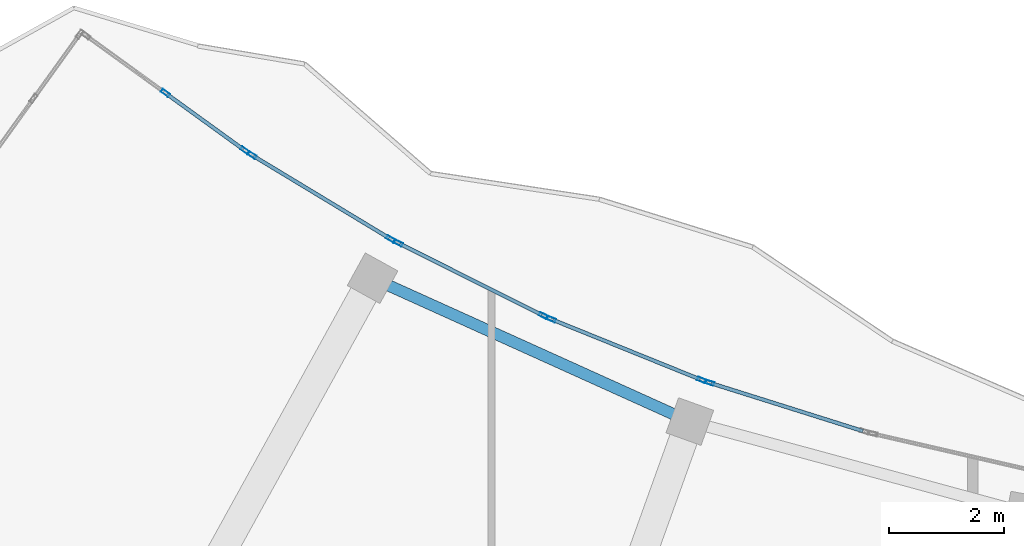
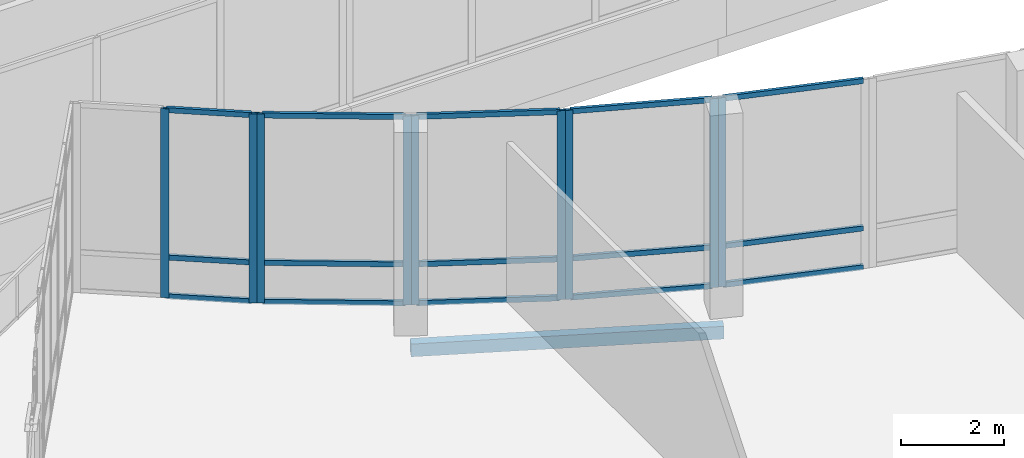
# One storey, part 27 of 155: 24 members, 1 beam, 5 elements without a shape of their own.
"""IFC4 building model written with IfcOpenShell, lengths in metres."""

import ifcopenshell
import ifcopenshell.guid

model = None  # the IFC model being written
_history = None  # IfcOwnerHistory: only IFC2X3 demands one
_inside = {}  # id of a spatial element -> (the spatial element, [elements in it])
_under = {}  # id of a project, library or spatial element -> (it, [spatial elements below it])
_declared = {}  # id of a project -> (the project, [libraries it declares])
_typed = {}  # id of a type object -> (the type object, [elements of that type])
_made_of = {}  # id of a material, layer set ... -> (it, [elements and type objects made of it])


def new_model(schema):
    """Start an empty IFC model of exactly this schema.

    Asked for "IFC4X3", IfcOpenShell would pick the latest addendum, in which some entities
    have other attributes; the version numbers below select the first issue.
    IFC2X3 requires an IfcOwnerHistory on every rooted entity: one is made here for all.
    """
    global model, _history
    if schema == "IFC4X3":
        model = ifcopenshell.file(schema_version=(4, 3, 0, 0))
    else:
        model = ifcopenshell.file(schema=schema)
    _inside.clear()
    _under.clear()
    _declared.clear()
    _typed.clear()
    _made_of.clear()
    _history = None
    if model.schema == "IFC2X3":
        org = make("IfcOrganization", Name="unknown")
        user = make(
            "IfcPersonAndOrganization",
            ThePerson=make("IfcPerson", FamilyName="unknown"),
            TheOrganization=org,
        )
        app = make(
            "IfcApplication",
            ApplicationDeveloper=org,
            Version="unknown",
            ApplicationFullName="unknown",
            ApplicationIdentifier="unknown",
        )
        _history = make(
            "IfcOwnerHistory",
            OwningUser=user,
            OwningApplication=app,
            ChangeAction="ADDED",
            CreationDate=0,
        )
    return model


def make(cls, **values):
    """One entity of the class cls with the attributes given. An attribute that is None is left unset."""
    return model.create_entity(
        cls, **{name: value for name, value in values.items() if value is not None}
    )


def rooted(cls, **values):
    """An entity with a GlobalId (a new one), such as an element, a storey or a relation."""
    return make(cls, GlobalId=ifcopenshell.guid.new(), OwnerHistory=_history, **values)


def si_unit(unit_type, name, prefix=None):
    """IfcSIUnit, for example si_unit("LENGTHUNIT", "METRE", prefix="MILLI")."""
    return make("IfcSIUnit", UnitType=unit_type, Prefix=prefix, Name=name)


def assignment(units):
    """IfcUnitAssignment: the units of a project."""
    return None if units is None else make("IfcUnitAssignment", Units=units)


def point(xyz):
    """IfcCartesianPoint."""
    return None if xyz is None else make("IfcCartesianPoint", Coordinates=xyz)


def direction(xyz):
    """IfcDirection."""
    return None if xyz is None else make("IfcDirection", DirectionRatios=xyz)


def frame(location, z_axis=None, x_axis=None):
    """IfcAxis2Placement3D, a coordinate frame: its origin and axes. An axis left out is left unset."""
    return make(
        "IfcAxis2Placement3D",
        Location=point(location),
        Axis=direction(z_axis),
        RefDirection=direction(x_axis),
    )


def frame_2d(location, x_axis=None):
    """IfcAxis2Placement2D, a coordinate frame in the plane: its origin and x axis."""
    return make(
        "IfcAxis2Placement2D", Location=point(location), RefDirection=direction(x_axis)
    )


def origin():
    """The frame at (0, 0, 0) with its axes left unset."""
    return frame((0.0, 0.0, 0.0))


def origin_2d():
    """The frame at (0, 0) in the plane with its x axis left unset."""
    return frame_2d((0.0, 0.0))


def place(relative_to, where):
    """IfcLocalPlacement: puts the frame where relative to a parent placement (None: the world)."""
    return make(
        "IfcLocalPlacement", PlacementRelTo=relative_to, RelativePlacement=where
    )


def context(
    kind, dimensions, precision=None, world=None, true_north=None, identifier=None
):
    """IfcGeometricRepresentationContext, for example the 3D "Model" context."""
    return make(
        "IfcGeometricRepresentationContext",
        ContextIdentifier=identifier,
        ContextType=kind,
        CoordinateSpaceDimension=dimensions,
        Precision=precision,
        WorldCoordinateSystem=world,
        TrueNorth=true_north,
    )


def subcontext(parent, identifier, kind, view, scale=None):
    """IfcGeometricRepresentationSubContext, for example "Body" below "Model"."""
    return make(
        "IfcGeometricRepresentationSubContext",
        ContextIdentifier=identifier,
        ContextType=kind,
        ParentContext=parent,
        TargetScale=scale,
        TargetView=view,
    )


def project(units=None, contexts=None):
    """IfcProject with its units and contexts."""
    return rooted(
        "IfcProject",
        Name="project",
        RepresentationContexts=contexts,
        UnitsInContext=assignment(units),
    )


def spatial(cls, under=None, at=None, **own):
    """A site, building, storey or space (cls), placed at a placement, below another one or the project."""
    s = rooted(cls, ObjectPlacement=at, **own)
    if under is not None:
        _under.setdefault(under.id(), (under, []))[1].append(s)
    return s


def profile(cls, at=None, kind="AREA", **sizes):
    """A parametric profile (cls). Its sizes go by their IFC names, for example OverallWidth=200.0."""
    return make(cls, ProfileType=kind, Position=at, **sizes)


def hollow_rectangle(**sizes):
    """IfcRectangleHollowProfileDef."""
    return profile("IfcRectangleHollowProfileDef", **sizes)


def extrude(swept, where, along, depth):
    """IfcExtrudedAreaSolid: the profile swept, set in the frame where, extruded along a direction by depth."""
    return make(
        "IfcExtrudedAreaSolid",
        SweptArea=swept,
        Position=where,
        ExtrudedDirection=direction(along),
        Depth=depth,
    )


def shape(context_of_items, identifier, shape_type, items):
    """IfcShapeRepresentation: the items that make up one representation, for example the "Body"."""
    return make(
        "IfcShapeRepresentation",
        ContextOfItems=context_of_items,
        RepresentationIdentifier=identifier,
        RepresentationType=shape_type,
        Items=items,
    )


def material(Name=None, Category=None):
    """IfcMaterial."""
    return make("IfcMaterial", Name=Name, Category=Category)


def material_profile(
    of_material, cross_section, Name=None, Category=None, Priority=None
):
    """IfcMaterialProfile: a cross section and its material."""
    return make(
        "IfcMaterialProfile",
        Name=Name,
        Material=of_material,
        Profile=cross_section,
        Priority=Priority,
        Category=Category,
    )


def profile_set(profiles, Name=None, composite=None):
    """IfcMaterialProfileSet."""
    return make(
        "IfcMaterialProfileSet",
        Name=Name,
        MaterialProfiles=profiles,
        CompositeProfile=composite,
    )


def made_of(thing, what):
    """Note that an element or type object is made of a material, layer set ...; save() writes the relation."""
    if what is not None:
        _made_of.setdefault(what.id(), (what, []))[1].append(thing)
    return thing


def type_object(cls, material=None, **own):
    """A type object (cls), such as IfcWallType, which elements share."""
    return made_of(rooted(cls, **own), material)


def element(
    cls,
    number,
    at=None,
    inside=None,
    cuts=None,
    type_object=None,
    material=None,
    context=None,
    identifier="Body",
    shape_type=None,
    held_by="IfcProductDefinitionShape",
    body=None,
    shapes=None,
    **own,
):
    """One element of the class cls, such as IfcWall. Its Tag is "e" and its number.

    at: its placement. inside: the storey or other place that contains it. cuts: it is an
    opening in that element (IfcRelVoidsElement). A single representation is given by context,
    identifier, shape_type and body (its items); several are given by shapes. held_by: the class
    of the entity that holds the representations. save() writes the other relations.
    """
    e = rooted(cls, Tag="e%d" % number, ObjectPlacement=at, **own)
    if body is not None:
        shapes = [shape(context, identifier, shape_type, body)]
    if shapes is not None:
        e.Representation = make(held_by, Representations=shapes)
    if inside is not None:
        _inside.setdefault(inside.id(), (inside, []))[1].append(e)
    if cuts is not None:
        rooted(
            "IfcRelVoidsElement", RelatingBuildingElement=cuts, RelatedOpeningElement=e
        )
    if type_object is not None:
        _typed.setdefault(type_object.id(), (type_object, []))[1].append(e)
    return made_of(e, material)


def aggregate(whole, parts):
    """IfcRelAggregates: a whole, such as a stair, and the parts it consists of."""
    return rooted("IfcRelAggregates", RelatingObject=whole, RelatedObjects=parts)


def save(model, path):
    """Write the relations noted so far, then the file.

    IfcRelAggregates (storeys below a building ...), IfcRelContainedInSpatialStructure (elements
    in a storey), IfcRelDefinesByType, IfcRelAssociatesMaterial and IfcRelDeclares: one each for
    every whole, place, type object, material and project.
    """
    for whole, parts in _under.values():
        aggregate(whole, parts)
    for where, things in _inside.values():
        rooted(
            "IfcRelContainedInSpatialStructure",
            RelatedElements=things,
            RelatingStructure=where,
        )
    for kind, things in _typed.values():
        rooted("IfcRelDefinesByType", RelatedObjects=things, RelatingType=kind)
    for what, things in _made_of.values():
        rooted("IfcRelAssociatesMaterial", RelatedObjects=things, RelatingMaterial=what)
    for by, libraries in _declared.values():
        rooted("IfcRelDeclares", RelatingContext=by, RelatedDefinitions=libraries)
    model.write(path)


model = new_model("IFC4")

# Units and contexts
model_context = context("Model", 3, precision=1e-05, world=origin(), true_north=direction((0.0, 1.0)))
body_context = subcontext(model_context, "Body", "Model", "MODEL_VIEW")
ifc_project = project(units=[si_unit("LENGTHUNIT", "METRE"), si_unit("AREAUNIT", "SQUARE_METRE"), si_unit("VOLUMEUNIT", "CUBIC_METRE"), si_unit("PLANEANGLEUNIT", "RADIAN"), si_unit("MASSUNIT", "GRAM", prefix="KILO")], contexts=[model_context])

# Site, building, storey
site_placement = place(None, origin())
site = spatial("IfcSite", under=ifc_project, at=site_placement, CompositionType="ELEMENT")
building_placement = place(site_placement, origin())
building = spatial("IfcBuilding", under=site, at=building_placement, Name="Selatvlak General Hospital", CompositionType="ELEMENT")
storey_placement = place(building_placement, frame((0.0, 0.0, 10.199951171875)))
storey = spatial("IfcBuildingStorey", under=building, at=storey_placement, Name="L02", CompositionType="ELEMENT", Elevation=10.199951171875)

# Beam
ifc_material_1 = material(Name="Steel S355", Category="steel")
ifc_material_profile_1 = material_profile(ifc_material_1, hollow_rectangle(XDim=0.199951171875, YDim=0.300048828125, WallThickness=0.011962890625, at=origin_2d()), Name="RHS 300x200x12")
ifc_profile_set_1 = profile_set([ifc_material_profile_1], Name="Steel S355")
beam_type = type_object("IfcBeamType", Name="BM-SP3", PredefinedType="SPANDREL", material=ifc_profile_set_1)
beam_placement = place(storey_placement, frame((37.52099609375, 46.009033203125, -0.5048828125), z_axis=(0.911255847368, -0.411840722413, 0.0), x_axis=(0.411840722413, 0.911255847368, 0.0)))
element("IfcBeam", 1, at=beam_placement, inside=storey, type_object=beam_type, Name="Beam BMR-L02-1124", PredefinedType="SPANDREL", context=body_context, shape_type="SweptSolid", body=[
    extrude(hollow_rectangle(XDim=0.199951171875, YDim=0.300048828125, WallThickness=0.011962890625, at=origin_2d()), origin(), (0.0, 0.0, 1.0), 6.077392578125),
])

# Curtain wall, members
ifc_material_2 = material(Name="Solar-control Low-E double glazing", Category="glass")
curtain_wall_type_1 = type_object("IfcCurtainWallType", Name="CW-CW-01", PredefinedType="USERDEFINED", material=ifc_material_2)
curtain_wall_1_placement = place(storey_placement, origin())
curtain_wall_1 = element("IfcCurtainWall", 2, at=curtain_wall_1_placement, inside=storey, type_object=curtain_wall_type_1, Name="Glazed facade curtain wall CW-L02-0321", ObjectType="UNITISED CURTAIN WALL", PredefinedType="USERDEFINED")
ifc_material_3 = material(Name="Dark anodised aluminium mullion", Category="aluminium")
ifc_material_profile_2 = material_profile(ifc_material_3, hollow_rectangle(XDim=0.06494140625, YDim=0.159912109375, WallThickness=0.00390625, at=origin_2d()), Name="AL-MUL 65x160x4")
ifc_profile_set_2 = profile_set([ifc_material_profile_2], Name="Dark anodised aluminium mullion")
member_type_1 = type_object("IfcMemberType", Name="CWM-01", PredefinedType="MULLION", material=ifc_profile_set_2)
member_1_placement = place(storey_placement, frame((33.903564453125, 49.242431640625, 0.0), z_axis=(0.0, 0.0, 1.0), x_axis=(0.58631560804, 0.810082716622, 0.0)))
member_1 = element("IfcMember", 3, at=member_1_placement, type_object=member_type_1, Name="CW-01 mullion 2", PredefinedType="MULLION", context=body_context, shape_type="SweptSolid", body=[
    extrude(hollow_rectangle(XDim=0.06494140625, YDim=0.159912109375, WallThickness=0.00390625, at=origin_2d()), origin(), (0.0, 0.0, 1.0), 4.4599609375),
])
member_2_placement = place(storey_placement, frame((35.292724609375, 48.237060546875, 0.0), z_axis=(0.0, 0.0, 1.0), x_axis=(0.58631560804, 0.810082716622, 0.0)))
member_2 = element("IfcMember", 4, at=member_2_placement, type_object=member_type_1, Name="CW-01 mullion 3", PredefinedType="MULLION", context=body_context, shape_type="SweptSolid", body=[
    extrude(hollow_rectangle(XDim=0.06494140625, YDim=0.159912109375, WallThickness=0.00390625, at=origin_2d()), origin(), (0.0, 0.0, 1.0), 4.4599609375),
])

curtain_wall_type_2 = type_object("IfcCurtainWallType", Name="CW-CW-02", PredefinedType="USERDEFINED", material=ifc_material_2)
curtain_wall_2_placement = place(storey_placement, origin())
curtain_wall_2 = element("IfcCurtainWall", 5, at=curtain_wall_2_placement, inside=storey, type_object=curtain_wall_type_2, Name="Glazed facade curtain wall CW-L02-0322", ObjectType="UNITISED CURTAIN WALL", PredefinedType="USERDEFINED")
member_3_placement = place(storey_placement, frame((35.414794921875, 48.158203125, 0.0), z_axis=(0.0, 0.0, 1.0), x_axis=(0.517384094885, 0.85575329293, 0.0)))
member_3 = element("IfcMember", 6, at=member_3_placement, type_object=member_type_1, Name="CW-02 mullion 1", PredefinedType="MULLION", context=body_context, shape_type="SweptSolid", body=[
    extrude(hollow_rectangle(XDim=0.06494140625, YDim=0.159912109375, WallThickness=0.00390625, at=origin_2d()), origin(), (0.0, 0.0, 1.0), 4.4599609375),
])
member_4_placement = place(storey_placement, frame((37.840087890625, 46.69189453125, 0.0), z_axis=(0.0, 0.0, 1.0), x_axis=(0.517384094885, 0.85575329293, 0.0)))
member_4 = element("IfcMember", 7, at=member_4_placement, type_object=member_type_1, Name="CW-02 mullion 2", PredefinedType="MULLION", context=body_context, shape_type="SweptSolid", body=[
    extrude(hollow_rectangle(XDim=0.06494140625, YDim=0.159912109375, WallThickness=0.00390625, at=origin_2d()), origin(), (0.0, 0.0, 1.0), 4.4599609375),
])

curtain_wall_3_placement = place(storey_placement, origin())
curtain_wall_3 = element("IfcCurtainWall", 8, at=curtain_wall_3_placement, inside=storey, type_object=curtain_wall_type_1, Name="Glazed facade curtain wall CW-L02-0323", ObjectType="UNITISED CURTAIN WALL", PredefinedType="USERDEFINED")
member_5_placement = place(storey_placement, frame((37.968017578125, 46.62353515625, 0.0), z_axis=(0.0, 0.0, 1.0), x_axis=(0.447627060006, 0.894220339262, 0.0)))
member_5 = element("IfcMember", 9, at=member_5_placement, type_object=member_type_1, Name="CW-01 mullion 1", PredefinedType="MULLION", context=body_context, shape_type="SweptSolid", body=[
    extrude(hollow_rectangle(XDim=0.06494140625, YDim=0.159912109375, WallThickness=0.00390625, at=origin_2d()), origin(), (0.0, 0.0, 1.0), 4.4599609375),
])
member_6_placement = place(storey_placement, frame((40.5048828125, 45.353515625, 0.0), z_axis=(0.0, 0.0, 1.0), x_axis=(0.447627060006, 0.894220339262, 0.0)))
member_6 = element("IfcMember", 10, at=member_6_placement, type_object=member_type_1, Name="CW-01 mullion 2", PredefinedType="MULLION", context=body_context, shape_type="SweptSolid", body=[
    extrude(hollow_rectangle(XDim=0.06494140625, YDim=0.159912109375, WallThickness=0.00390625, at=origin_2d()), origin(), (0.0, 0.0, 1.0), 4.4599609375),
])

curtain_wall_4_placement = place(storey_placement, origin())
curtain_wall_4 = element("IfcCurtainWall", 11, at=curtain_wall_4_placement, inside=storey, type_object=curtain_wall_type_2, Name="Glazed facade curtain wall CW-L02-0324", ObjectType="UNITISED CURTAIN WALL", PredefinedType="USERDEFINED")
member_7_placement = place(storey_placement, frame((40.63720703125, 45.294921875, 0.0), z_axis=(0.0, 0.0, 1.0), x_axis=(0.374953034584, 0.927043807949, 0.0)))
member_7 = element("IfcMember", 12, at=member_7_placement, type_object=member_type_1, Name="CW-02 mullion 1", PredefinedType="MULLION", context=body_context, shape_type="SweptSolid", body=[
    extrude(hollow_rectangle(XDim=0.06494140625, YDim=0.159912109375, WallThickness=0.00390625, at=origin_2d()), origin(), (0.0, 0.0, 1.0), 4.4599609375),
])
member_8_placement = place(storey_placement, frame((43.266845703125, 44.231201171875, 0.0), z_axis=(0.0, 0.0, 1.0), x_axis=(0.374953034584, 0.927043807949, 0.0)))
member_8 = element("IfcMember", 13, at=member_8_placement, type_object=member_type_1, Name="CW-02 mullion 2", PredefinedType="MULLION", context=body_context, shape_type="SweptSolid", body=[
    extrude(hollow_rectangle(XDim=0.06494140625, YDim=0.159912109375, WallThickness=0.00390625, at=origin_2d()), origin(), (0.0, 0.0, 1.0), 4.4599609375),
])

# Curtain wall, member
curtain_wall_5_placement = place(storey_placement, origin())
curtain_wall_5 = element("IfcCurtainWall", 14, at=curtain_wall_5_placement, inside=storey, type_object=curtain_wall_type_1, Name="Glazed facade curtain wall CW-L02-0325", ObjectType="UNITISED CURTAIN WALL", PredefinedType="USERDEFINED")
member_9_placement = place(storey_placement, frame((43.404052734375, 44.183349609375, 0.0), z_axis=(0.0, 0.0, 1.0), x_axis=(0.300372930504, 0.953821840084, 0.0)))
member_9 = element("IfcMember", 15, at=member_9_placement, type_object=member_type_1, Name="CW-01 mullion 1", PredefinedType="MULLION", context=body_context, shape_type="SweptSolid", body=[
    extrude(hollow_rectangle(XDim=0.06494140625, YDim=0.159912109375, WallThickness=0.00390625, at=origin_2d()), origin(), (0.0, 0.0, 1.0), 4.4599609375),
])

# Member
ifc_material_profile_3 = material_profile(ifc_material_3, hollow_rectangle(XDim=0.06494140625, YDim=0.1201171875, WallThickness=0.00390625, at=origin_2d()), Name="AL-TRN 65x120x4")
ifc_profile_set_3 = profile_set([ifc_material_profile_3], Name="Dark anodised aluminium mullion")
member_type_2 = type_object("IfcMemberType", Name="CWT-01", PredefinedType="USERDEFINED", material=ifc_profile_set_3)
member_10_placement = place(storey_placement, frame((33.929931640625, 49.223388671875, 0.032470703125), z_axis=(0.810077850293, -0.586322331542, 0.0), x_axis=(0.586322331542, 0.810077850293, 0.0)))
member_10 = element("IfcMember", 16, at=member_10_placement, type_object=member_type_2, Name="CW-01 transom 2.1", ObjectType="TRANSOM", PredefinedType="USERDEFINED", context=body_context, shape_type="SweptSolid", body=[
    extrude(hollow_rectangle(XDim=0.06494140625, YDim=0.1201171875, WallThickness=0.00390625, at=origin_2d()), origin(), (0.0, 0.0, 1.0), 1.649658203125),
])

member_11_placement = place(storey_placement, frame((33.929931640625, 49.223388671875, 0.949951171875), z_axis=(0.810077850293, -0.586322331542, 0.0), x_axis=(0.586322331542, 0.810077850293, 0.0)))
member_11 = element("IfcMember", 17, at=member_11_placement, type_object=member_type_2, Name="CW-01 transom 2.2", ObjectType="TRANSOM", PredefinedType="USERDEFINED", context=body_context, shape_type="SweptSolid", body=[
    extrude(hollow_rectangle(XDim=0.06494140625, YDim=0.1201171875, WallThickness=0.00390625, at=origin_2d()), origin(), (0.0, 0.0, 1.0), 1.649658203125),
])

member_12_placement = place(storey_placement, frame((33.929931640625, 49.223388671875, 4.427490234375), z_axis=(0.810077850293, -0.586322331542, 0.0), x_axis=(0.586322331542, 0.810077850293, 0.0)))
member_12 = element("IfcMember", 18, at=member_12_placement, type_object=member_type_2, Name="CW-01 transom 2.3", ObjectType="TRANSOM", PredefinedType="USERDEFINED", context=body_context, shape_type="SweptSolid", body=[
    extrude(hollow_rectangle(XDim=0.06494140625, YDim=0.1201171875, WallThickness=0.00390625, at=origin_2d()), origin(), (0.0, 0.0, 1.0), 1.649658203125),
])

aggregate(curtain_wall_1, [member_1, member_2, member_10, member_11, member_12])

member_13_placement = place(storey_placement, frame((35.442626953125, 48.141357421875, 0.032470703125), z_axis=(0.855761034107, -0.517371290762, 0.0), x_axis=(0.517371290762, 0.855761034107, 0.0)))
member_13 = element("IfcMember", 19, at=member_13_placement, type_object=member_type_2, Name="CW-02 transom 1.1", ObjectType="TRANSOM", PredefinedType="USERDEFINED", context=body_context, shape_type="SweptSolid", body=[
    extrude(hollow_rectangle(XDim=0.06494140625, YDim=0.1201171875, WallThickness=0.00390625, at=origin_2d()), origin(), (0.0, 0.0, 1.0), 2.76904296875),
])

member_14_placement = place(storey_placement, frame((35.442626953125, 48.141357421875, 0.949951171875), z_axis=(0.855761034107, -0.517371290762, 0.0), x_axis=(0.517371290762, 0.855761034107, 0.0)))
member_14 = element("IfcMember", 20, at=member_14_placement, type_object=member_type_2, Name="CW-02 transom 1.2", ObjectType="TRANSOM", PredefinedType="USERDEFINED", context=body_context, shape_type="SweptSolid", body=[
    extrude(hollow_rectangle(XDim=0.06494140625, YDim=0.1201171875, WallThickness=0.00390625, at=origin_2d()), origin(), (0.0, 0.0, 1.0), 2.76904296875),
])

member_15_placement = place(storey_placement, frame((35.442626953125, 48.141357421875, 4.427490234375), z_axis=(0.855761034107, -0.517371290762, 0.0), x_axis=(0.517371290762, 0.855761034107, 0.0)))
member_15 = element("IfcMember", 21, at=member_15_placement, type_object=member_type_2, Name="CW-02 transom 1.3", ObjectType="TRANSOM", PredefinedType="USERDEFINED", context=body_context, shape_type="SweptSolid", body=[
    extrude(hollow_rectangle(XDim=0.06494140625, YDim=0.1201171875, WallThickness=0.00390625, at=origin_2d()), origin(), (0.0, 0.0, 1.0), 2.76904296875),
])

aggregate(curtain_wall_2, [member_3, member_4, member_13, member_14, member_15])

member_16_placement = place(storey_placement, frame((37.9970703125, 46.60888671875, 0.032470703125), z_axis=(0.894233340341, -0.447601086931, 0.0), x_axis=(0.447601086931, 0.894233340341, 0.0)))
member_16 = element("IfcMember", 22, at=member_16_placement, type_object=member_type_2, Name="CW-01 transom 1.1", ObjectType="TRANSOM", PredefinedType="USERDEFINED", context=body_context, shape_type="SweptSolid", body=[
    extrude(hollow_rectangle(XDim=0.06494140625, YDim=0.1201171875, WallThickness=0.00390625, at=origin_2d()), origin(), (0.0, 0.0, 1.0), 2.77197265625),
])

member_17_placement = place(storey_placement, frame((37.9970703125, 46.60888671875, 0.949951171875), z_axis=(0.894233340341, -0.447601086931, 0.0), x_axis=(0.447601086931, 0.894233340341, 0.0)))
member_17 = element("IfcMember", 23, at=member_17_placement, type_object=member_type_2, Name="CW-01 transom 1.2", ObjectType="TRANSOM", PredefinedType="USERDEFINED", context=body_context, shape_type="SweptSolid", body=[
    extrude(hollow_rectangle(XDim=0.06494140625, YDim=0.1201171875, WallThickness=0.00390625, at=origin_2d()), origin(), (0.0, 0.0, 1.0), 2.77197265625),
])

member_18_placement = place(storey_placement, frame((37.9970703125, 46.60888671875, 4.427490234375), z_axis=(0.894233340341, -0.447601086931, 0.0), x_axis=(0.447601086931, 0.894233340341, 0.0)))
member_18 = element("IfcMember", 24, at=member_18_placement, type_object=member_type_2, Name="CW-01 transom 1.3", ObjectType="TRANSOM", PredefinedType="USERDEFINED", context=body_context, shape_type="SweptSolid", body=[
    extrude(hollow_rectangle(XDim=0.06494140625, YDim=0.1201171875, WallThickness=0.00390625, at=origin_2d()), origin(), (0.0, 0.0, 1.0), 2.77197265625),
])

aggregate(curtain_wall_3, [member_5, member_6, member_16, member_17, member_18])

member_19_placement = place(storey_placement, frame((40.667236328125, 45.28271484375, 0.032470703125), z_axis=(0.927042328335, -0.3749566928, 0.0), x_axis=(0.3749566928, 0.927042328335, 0.0)))
member_19 = element("IfcMember", 25, at=member_19_placement, type_object=member_type_2, Name="CW-02 transom 1.1", ObjectType="TRANSOM", PredefinedType="USERDEFINED", context=body_context, shape_type="SweptSolid", body=[
    extrude(hollow_rectangle(XDim=0.06494140625, YDim=0.1201171875, WallThickness=0.00390625, at=origin_2d()), origin(), (0.0, 0.0, 1.0), 2.771728515625),
])

member_20_placement = place(storey_placement, frame((40.667236328125, 45.28271484375, 0.949951171875), z_axis=(0.927042328335, -0.3749566928, 0.0), x_axis=(0.3749566928, 0.927042328335, 0.0)))
member_20 = element("IfcMember", 26, at=member_20_placement, type_object=member_type_2, Name="CW-02 transom 1.2", ObjectType="TRANSOM", PredefinedType="USERDEFINED", context=body_context, shape_type="SweptSolid", body=[
    extrude(hollow_rectangle(XDim=0.06494140625, YDim=0.1201171875, WallThickness=0.00390625, at=origin_2d()), origin(), (0.0, 0.0, 1.0), 2.771728515625),
])

member_21_placement = place(storey_placement, frame((40.667236328125, 45.28271484375, 4.427490234375), z_axis=(0.927042328335, -0.3749566928, 0.0), x_axis=(0.3749566928, 0.927042328335, 0.0)))
member_21 = element("IfcMember", 27, at=member_21_placement, type_object=member_type_2, Name="CW-02 transom 1.3", ObjectType="TRANSOM", PredefinedType="USERDEFINED", context=body_context, shape_type="SweptSolid", body=[
    extrude(hollow_rectangle(XDim=0.06494140625, YDim=0.1201171875, WallThickness=0.00390625, at=origin_2d()), origin(), (0.0, 0.0, 1.0), 2.771728515625),
])

aggregate(curtain_wall_4, [member_7, member_8, member_19, member_20, member_21])

member_22_placement = place(storey_placement, frame((43.43505859375, 44.173583984375, 0.032470703125), z_axis=(0.953816556591, -0.300389707503, 0.0), x_axis=(0.300389707503, 0.953816556591, 0.0)))
member_22 = element("IfcMember", 28, at=member_22_placement, type_object=member_type_2, Name="CW-01 transom 1.1", ObjectType="TRANSOM", PredefinedType="USERDEFINED", context=body_context, shape_type="SweptSolid", body=[
    extrude(hollow_rectangle(XDim=0.06494140625, YDim=0.1201171875, WallThickness=0.00390625, at=origin_2d()), origin(), (0.0, 0.0, 1.0), 2.773193359375),
])

member_23_placement = place(storey_placement, frame((43.43505859375, 44.173583984375, 0.949951171875), z_axis=(0.953816556591, -0.300389707503, 0.0), x_axis=(0.300389707503, 0.953816556591, 0.0)))
member_23 = element("IfcMember", 29, at=member_23_placement, type_object=member_type_2, Name="CW-01 transom 1.2", ObjectType="TRANSOM", PredefinedType="USERDEFINED", context=body_context, shape_type="SweptSolid", body=[
    extrude(hollow_rectangle(XDim=0.06494140625, YDim=0.1201171875, WallThickness=0.00390625, at=origin_2d()), origin(), (0.0, 0.0, 1.0), 2.773193359375),
])

member_24_placement = place(storey_placement, frame((43.43505859375, 44.173583984375, 4.427490234375), z_axis=(0.953816556591, -0.300389707503, 0.0), x_axis=(0.300389707503, 0.953816556591, 0.0)))
member_24 = element("IfcMember", 30, at=member_24_placement, type_object=member_type_2, Name="CW-01 transom 1.3", ObjectType="TRANSOM", PredefinedType="USERDEFINED", context=body_context, shape_type="SweptSolid", body=[
    extrude(hollow_rectangle(XDim=0.06494140625, YDim=0.1201171875, WallThickness=0.00390625, at=origin_2d()), origin(), (0.0, 0.0, 1.0), 2.773193359375),
])

aggregate(curtain_wall_5, [member_9, member_22, member_23, member_24])

save(model, "model.ifc")
